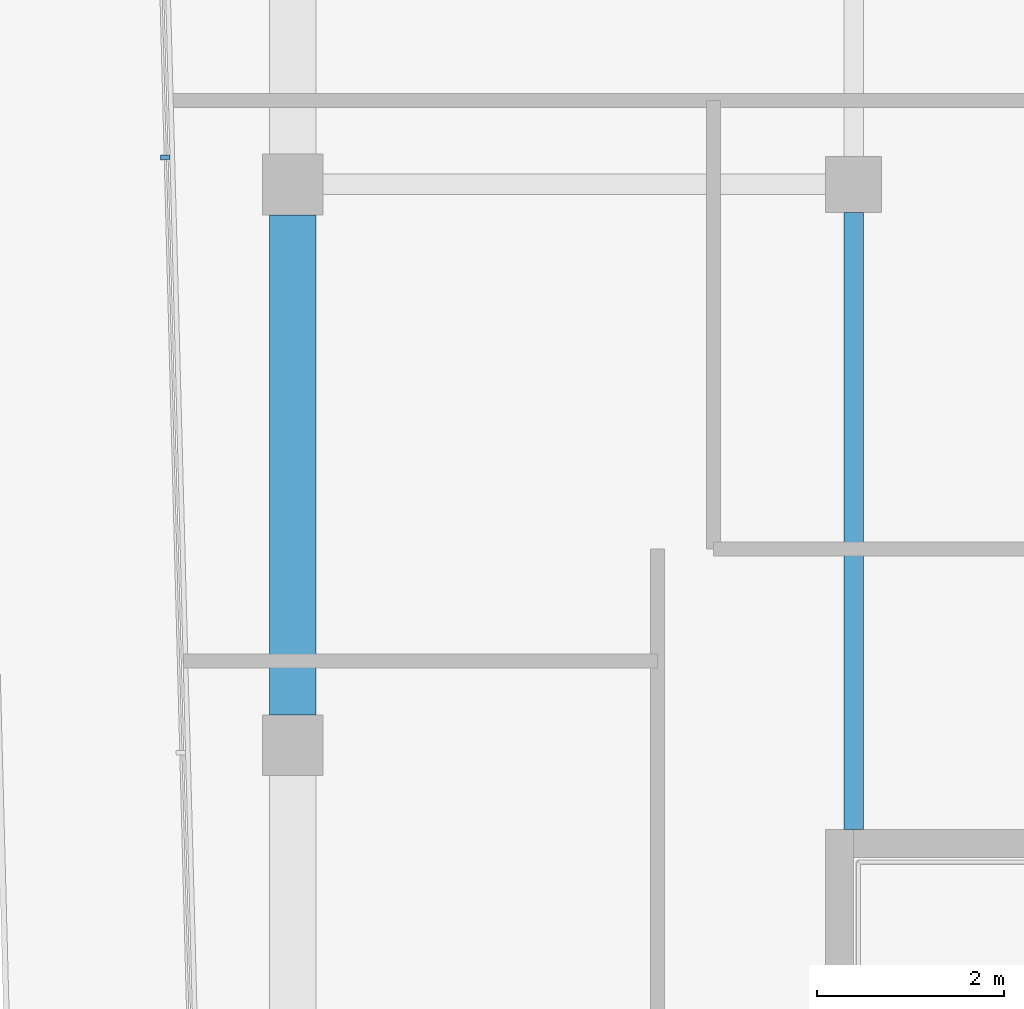
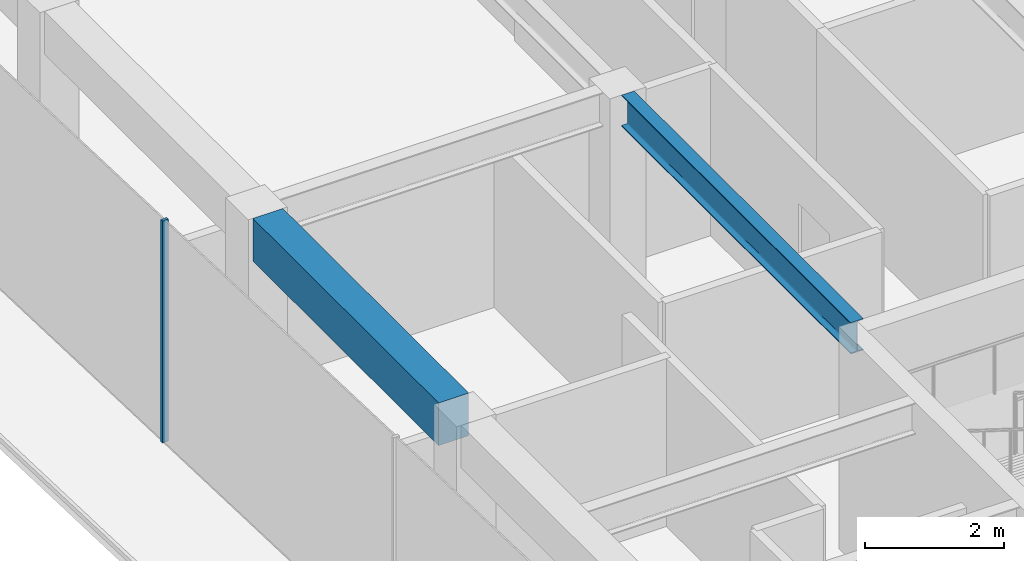
# One storey, part 7 of 20: 2 beams, 1 member, 1 element without a shape of its own.
"""IFC4 building model written with IfcOpenShell, lengths in metres."""

from ifc_helpers import new_model, si_unit, direction, frame, origin, origin_2d, place, context, subcontext, project, spatial, rectangle, i_section, extrude, material, layer, layer_set, material_profile, profile_set, type_object, element, aggregate, save


model = new_model("IFC4")

# Units and contexts
model_context = context("Model", 3, precision=1e-05, world=origin(), true_north=direction((0.0, 1.0)))
body_context = subcontext(model_context, "Body", "Model", "MODEL_VIEW")
ifc_project = project(units=[si_unit("LENGTHUNIT", "METRE"), si_unit("AREAUNIT", "SQUARE_METRE"), si_unit("VOLUMEUNIT", "CUBIC_METRE"), si_unit("PLANEANGLEUNIT", "RADIAN"), si_unit("MASSUNIT", "GRAM", prefix="KILO")], contexts=[model_context])

# Site, building, storey
site_placement = place(None, origin())
site = spatial("IfcSite", under=ifc_project, at=site_placement, CompositionType="ELEMENT")
building_placement = place(site_placement, origin())
building = spatial("IfcBuilding", under=site, at=building_placement, Name="Welwitschia Terrace Campus", CompositionType="ELEMENT")
storey_placement = place(building_placement, frame((0.0, 0.0, 327.199951171875)))
storey = spatial("IfcBuildingStorey", under=building, at=storey_placement, Name="L73", CompositionType="ELEMENT", Elevation=327.199951171875)

# Beam
ifc_material_1 = material(Name="Steel S355", Category="steel")
ifc_material_profile_1 = material_profile(ifc_material_1, i_section(OverallWidth=0.2099609375, OverallDepth=0.550048828125, WebThickness=0.010986328125, FlangeThickness=0.01708984375, FilletRadius=0.02392578125, at=origin_2d()))
ifc_profile_set_1 = profile_set([ifc_material_profile_1], Name="Steel S355")
beam_type_1 = type_object("IfcBeamType", Name="Interior girder IPE 550", PredefinedType="BEAM", material=ifc_profile_set_1)
beam_1_placement = place(storey_placement, frame((6.0, 25.10107421875, 3.625), z_axis=(0.0, 1.0, 0.0), x_axis=(-1.0, 0.0, 0.0)))
element("IfcBeam", 1, at=beam_1_placement, inside=storey, type_object=beam_type_1, Name="Girder GB7", PredefinedType="BEAM", context=body_context, shape_type="SweptSolid", body=[
    extrude(i_section(OverallWidth=0.2099609375, OverallDepth=0.550048828125, WebThickness=0.010986328125, FlangeThickness=0.01708984375, FilletRadius=0.02392578125, at=origin_2d()), origin(), (0.0, 0.0, 1.0), 6.598388671875),
])

# Curtain wall, member
ifc_material_2 = material(Name="Bronze anodised aluminium", Category="aluminium")
ifc_layer = layer(ifc_material_2, 0.10009765625)
ifc_layer_set = layer_set([ifc_layer], Name="Bronze anodised aluminium")
curtain_wall_type = type_object("IfcCurtainWallType", Name="Curtain wall CW5 crown 6000", PredefinedType="NOTDEFINED", material=ifc_layer_set)
curtain_wall_placement = place(storey_placement, origin())
curtain_wall = element("IfcCurtainWall", 2, at=curtain_wall_placement, inside=storey, type_object=curtain_wall_type, Name="CW L73.10.0", PredefinedType="NOTDEFINED")
ifc_material_3 = material(Name="Bronze anodised aluminium", Category="aluminium")
ifc_material_profile_2 = material_profile(ifc_material_3, rectangle(XDim=0.10009765625, YDim=0.050048828125, at=origin_2d()))
ifc_profile_set_2 = profile_set([ifc_material_profile_2], Name="Bronze anodised aluminium")
member_type = type_object("IfcMemberType", Name="Mullion 50x100", PredefinedType="MULLION", material=ifc_profile_set_2)
member_placement = place(storey_placement, frame((-1.363525390625, 32.289794921875, 0.0), z_axis=(0.0, 0.0, 1.0), x_axis=(0.999657324976, 0.026176948308, 0.0)))
member = element("IfcMember", 3, at=member_placement, type_object=member_type, Name="Mullion L73.10.0.2", PredefinedType="MULLION", context=body_context, shape_type="SweptSolid", body=[
    extrude(rectangle(XDim=0.10009765625, YDim=0.050048828125, at=origin_2d()), origin(), (0.0, 0.0, 1.0), 3.900146484375),
])
aggregate(curtain_wall, [member])

# Beam
ifc_material_4 = material(Name="Concrete C40/50", Category="concrete")
ifc_material_profile_3 = material_profile(ifc_material_4, rectangle(XDim=0.5, YDim=0.75, at=origin_2d()))
ifc_profile_set_3 = profile_set([ifc_material_profile_3], Name="Concrete C40/50")
beam_type_2 = type_object("IfcBeamType", Name="Ring spandrel 500x750", PredefinedType="SPANDREL", material=ifc_profile_set_3)
beam_2_placement = place(storey_placement, frame((0.0, 31.674560546875, 3.525146484375), z_axis=(0.0, -1.0, 0.0), x_axis=(1.0, 0.0, 0.0)))
element("IfcBeam", 4, at=beam_2_placement, inside=storey, type_object=beam_type_2, Name="Spandrel SP5", PredefinedType="SPANDREL", context=body_context, shape_type="SweptSolid", body=[
    extrude(rectangle(XDim=0.5, YDim=0.75, at=origin_2d()), origin(), (0.0, 0.0, 1.0), 5.34912109375),
])

save(model, "model.ifc")
